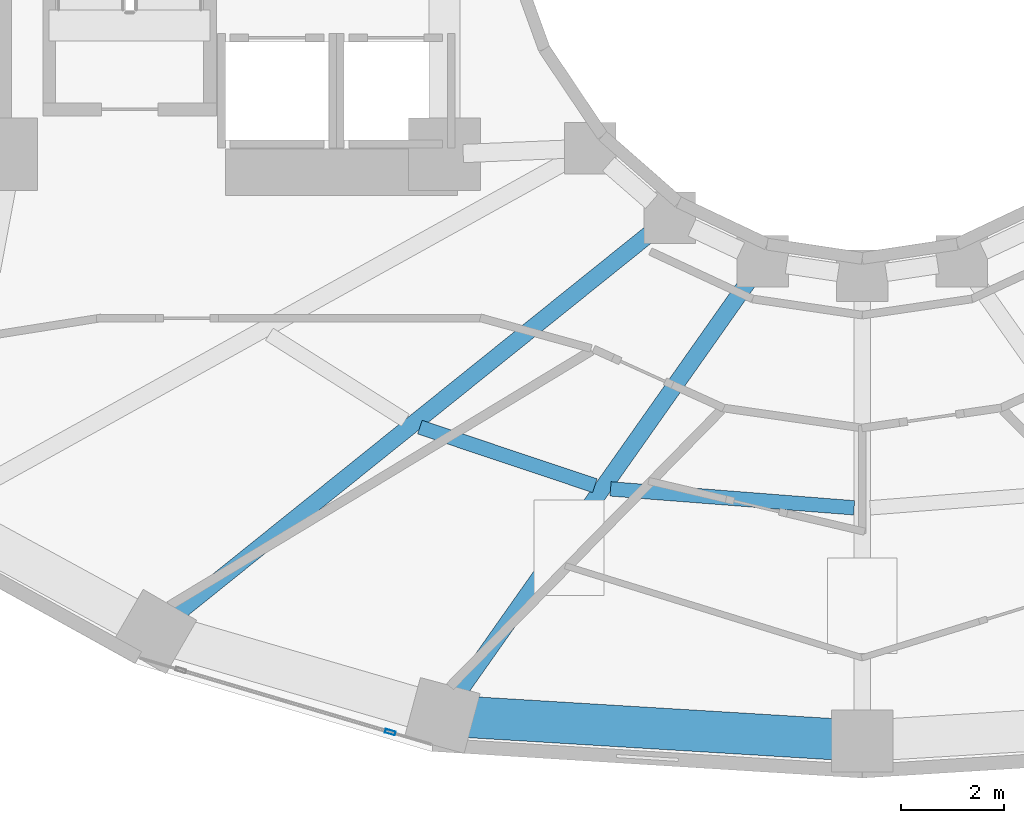
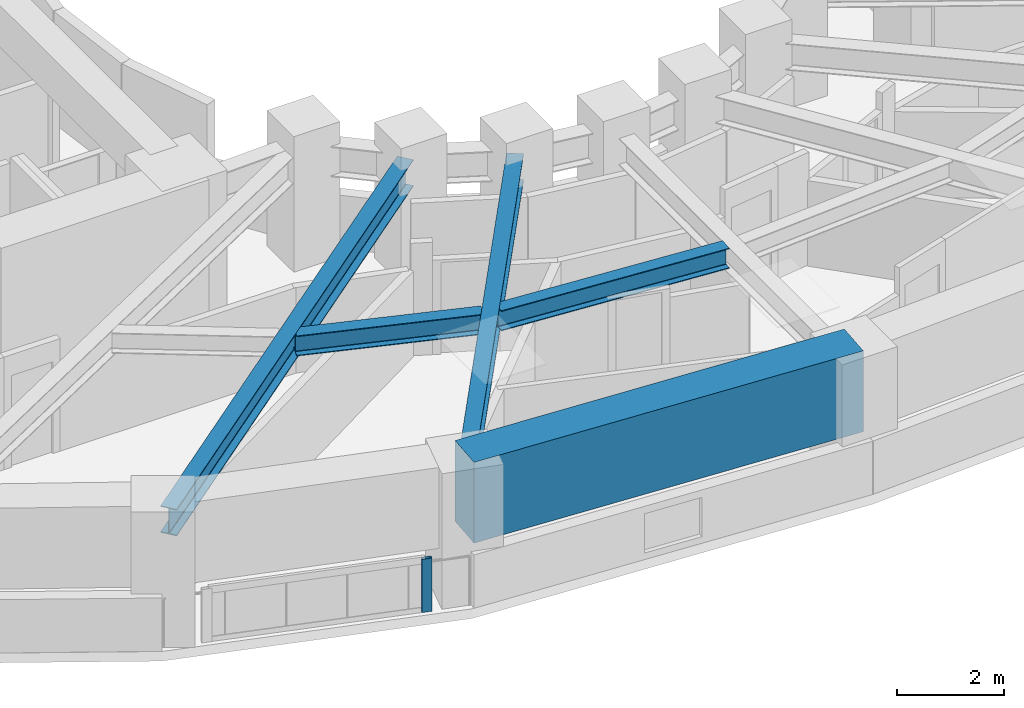
# One storey, part 4 of 22: 5 beams, 1 member, 1 element without a shape of its own.
"""IFC4 building model written with IfcOpenShell, lengths in metres."""

from ifc_helpers import new_model, si_unit, direction, frame, origin, origin_2d, place, context, subcontext, project, spatial, rectangle, hollow_rectangle, i_section, extrude, material, layer, layer_set, material_profile, profile_set, type_object, element, aggregate, save


model = new_model("IFC4")

# Units and contexts
model_context = context("Model", 3, precision=1e-05, world=origin(), true_north=direction((0.0, 1.0)))
body_context = subcontext(model_context, "Body", "Model", "MODEL_VIEW")
ifc_project = project(units=[si_unit("LENGTHUNIT", "METRE"), si_unit("AREAUNIT", "SQUARE_METRE"), si_unit("VOLUMEUNIT", "CUBIC_METRE"), si_unit("PLANEANGLEUNIT", "RADIAN"), si_unit("MASSUNIT", "GRAM", prefix="KILO")], contexts=[model_context])

# Site, building, storey
site_placement = place(None, origin())
site = spatial("IfcSite", under=ifc_project, at=site_placement, CompositionType="ELEMENT")
building_placement = place(site_placement, origin())
building = spatial("IfcBuilding", under=site, at=building_placement, Name="Solvane Sanctuary Tower", CompositionType="ELEMENT")
storey_placement = place(building_placement, frame((0.0, 0.0, 43.10009765625)))
storey = spatial("IfcBuildingStorey", under=building, at=storey_placement, Name="L12", CompositionType="ELEMENT", Elevation=43.10009765625)

# Beams
ifc_material_1 = material(Name="Steel ASTM A992 Grade 50", Category="steel")
ifc_material_profile_1 = material_profile(ifc_material_1, i_section(OverallWidth=0.323974609375, OverallDepth=0.611083984375, WebThickness=0.0126953125, FlangeThickness=0.01904296875, FilletRadius=0.01611328125, at=origin_2d()), Name="W24X104")
ifc_profile_set_1 = profile_set([ifc_material_profile_1], Name="Steel ASTM A992 Grade 50")
beam_type_1 = type_object("IfcBeamType", Name="Beam B-RAD-Z1 W24X104", PredefinedType="BEAM", material=ifc_profile_set_1)
beam_1_placement = place(storey_placement, frame((28.0517578125, 15.498046875, 2.29248046875), z_axis=(-0.779526985436, -0.626368644631, 0.0), x_axis=(0.626368644631, -0.779526985436, 0.0)))
element("IfcBeam", 1, at=beam_1_placement, inside=storey, type_object=beam_type_1, Name="L12 Radial Composite Floor Beam 09", PredefinedType="BEAM", context=body_context, shape_type="SweptSolid", body=[
    extrude(i_section(OverallWidth=0.323974609375, OverallDepth=0.611083984375, WebThickness=0.0126953125, FlangeThickness=0.01904296875, FilletRadius=0.01611328125, at=origin_2d()), origin(), (0.0, 0.0, 1.0), 12.2646484375),
])
beam_2_placement = place(storey_placement, frame((29.907958984375, 14.599609375, 2.29248046875), z_axis=(-0.576233115666, -0.817285382476, 0.0), x_axis=(0.817285382476, -0.576233115666, 0.0)))
element("IfcBeam", 2, at=beam_2_placement, inside=storey, type_object=beam_type_1, Name="L12 Radial Composite Floor Beam 10", PredefinedType="BEAM", context=body_context, shape_type="SweptSolid", body=[
    extrude(i_section(OverallWidth=0.323974609375, OverallDepth=0.611083984375, WebThickness=0.0126953125, FlangeThickness=0.01904296875, FilletRadius=0.01611328125, at=origin_2d()), origin(), (0.0, 0.0, 1.0), 10.224365234375),
])
ifc_material_profile_2 = material_profile(ifc_material_1, i_section(OverallWidth=0.280029296875, OverallDepth=0.462890625, WebThickness=0.0107421875, FlangeThickness=0.017333984375, FilletRadius=0.013916015625, at=origin_2d()), Name="W18X76")
ifc_profile_set_2 = profile_set([ifc_material_profile_2], Name="Steel ASTM A992 Grade 50")
beam_type_2 = type_object("IfcBeamType", Name="Beam B-SEC-JOIST W18X76", PredefinedType="JOIST", material=ifc_profile_set_2)
beam_3_placement = place(storey_placement, frame((23.42041015625, 11.607177734375, 2.366455078125), z_axis=(0.948259393162, -0.317496650816, 0.0), x_axis=(0.317496650816, 0.948259393162, 0.0)))
element("IfcBeam", 3, at=beam_3_placement, inside=storey, type_object=beam_type_2, Name="L12 Secondary Circumferential Joist 09-10", PredefinedType="JOIST", context=body_context, shape_type="SweptSolid", body=[
    extrude(i_section(OverallWidth=0.280029296875, OverallDepth=0.462890625, WebThickness=0.0107421875, FlangeThickness=0.017333984375, FilletRadius=0.013916015625, at=origin_2d()), origin(), (0.0, 0.0, 1.0), 3.577880859375),
])
beam_4_placement = place(storey_placement, frame((27.11865234375, 10.4091796875, 2.366455078125), z_axis=(0.996997851194, -0.077429223911, 0.0), x_axis=(0.077429223911, 0.996997851194, 0.0)))
element("IfcBeam", 4, at=beam_4_placement, inside=storey, type_object=beam_type_2, Name="L12 Secondary Circumferential Joist 10-11", PredefinedType="JOIST", context=body_context, shape_type="SweptSolid", body=[
    extrude(i_section(OverallWidth=0.280029296875, OverallDepth=0.462890625, WebThickness=0.0107421875, FlangeThickness=0.017333984375, FilletRadius=0.013916015625, at=origin_2d()), origin(), (0.0, 0.0, 1.0), 4.739013671875),
])
ifc_material_2 = material(Name="Concrete C70/85", Category="concrete")
ifc_material_profile_3 = material_profile(ifc_material_2, rectangle(XDim=0.800048828125, YDim=1.85009765625, at=origin_2d()), Name="RC800X1850")
ifc_profile_set_3 = profile_set([ifc_material_profile_3], Name="Concrete C70/85")
beam_type_3 = type_object("IfcBeamType", Name="Beam B-XFER-BLK RC800X1850", PredefinedType="BEAM", material=ifc_profile_set_3)
beam_5_placement = place(storey_placement, frame((23.85498046875, 6.014404296875, 2.1748046875), z_axis=(0.998162963029, -0.06058629579, 0.0), x_axis=(0.06058629579, 0.998162963029, 0.0)))
element("IfcBeam", 5, at=beam_5_placement, inside=storey, type_object=beam_type_3, Name="L12 Perimeter Step Transfer Ring NTC10-NTC11", PredefinedType="BEAM", context=body_context, shape_type="SweptSolid", body=[
    extrude(rectangle(XDim=0.800048828125, YDim=1.85009765625, at=origin_2d()), origin(), (0.0, 0.0, 1.0), 8.159912109375),
])

# Curtain wall, member
ifc_material_3 = material(Name="Anodised Aluminium 6063-T6", Category="aluminium")
ifc_layer = layer(ifc_material_3, 0.169921875, Name="Anodised Aluminium 6063-T6")
ifc_layer_set = layer_set([ifc_layer], Name="Anodised Aluminium 6063-T6")
curtain_wall_type = type_object("IfcCurtainWallType", Name="Curtain Wall CW-FRIT-Z1", PredefinedType="NOTDEFINED", material=ifc_layer_set)
curtain_wall_placement = place(storey_placement, origin())
curtain_wall = element("IfcCurtainWall", 6, at=curtain_wall_placement, inside=storey, type_object=curtain_wall_type, Name="L12 CW-FRIT-Z1 Facade Run 16", PredefinedType="NOTDEFINED")
ifc_material_profile_4 = material_profile(ifc_material_3, hollow_rectangle(XDim=0.074951171875, YDim=0.199951171875, WallThickness=0.00390625, at=origin_2d()), Name="ALU200X75X4")
ifc_profile_set_4 = profile_set([ifc_material_profile_4], Name="Anodised Aluminium 6063-T6")
member_type = type_object("IfcMemberType", Name="Member M-CW-MUL-1 ALU200X75X4", PredefinedType="MULLION", material=ifc_profile_set_4)
member_placement = place(storey_placement, frame((22.845947265625, 5.6904296875, 0.0), z_axis=(0.0, 0.0, 1.0), x_axis=(0.283936052018, 0.958843218866, 0.0)))
member = element("IfcMember", 7, at=member_placement, type_object=member_type, Name="CW-FRIT-Z1 mullion 2", PredefinedType="MULLION", context=body_context, shape_type="SweptSolid", body=[
    extrude(hollow_rectangle(XDim=0.074951171875, YDim=0.199951171875, WallThickness=0.00390625, at=origin_2d()), origin(), (0.0, 0.0, 1.0), 1.219970703125),
])
aggregate(curtain_wall, [member])

save(model, "model.ifc")
